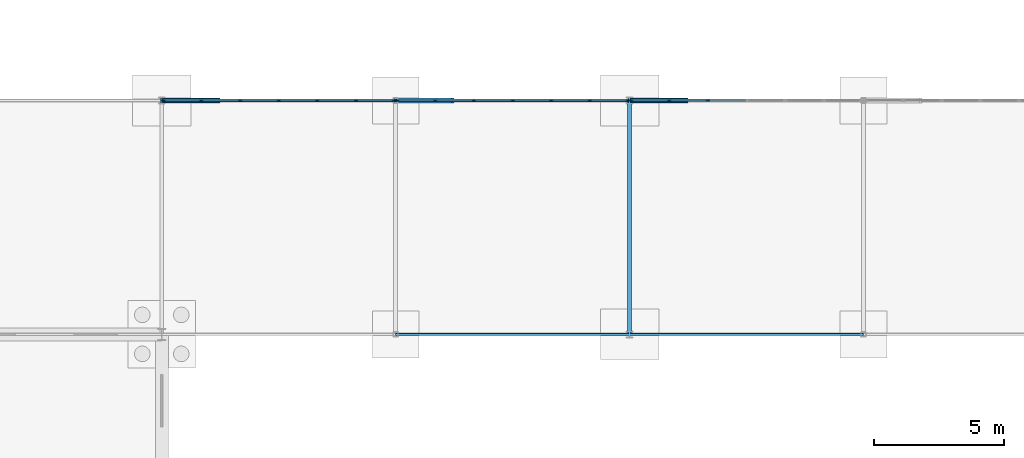
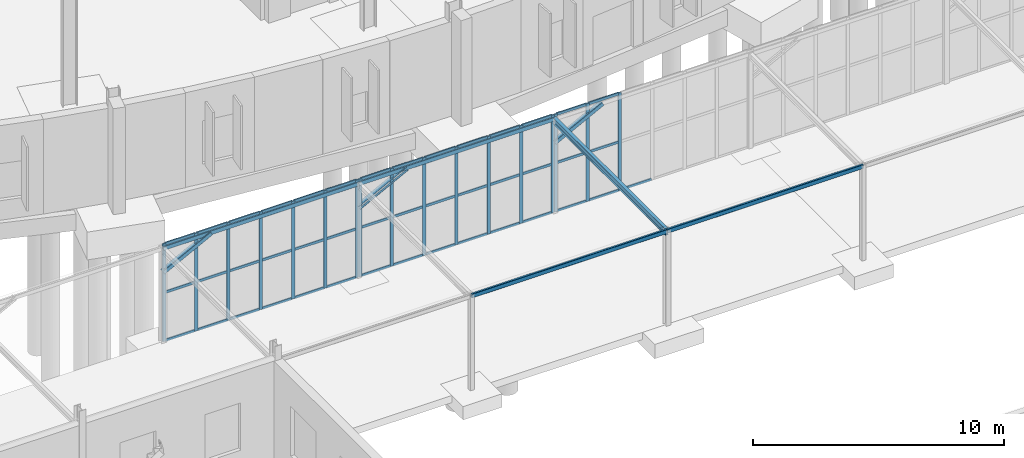
# One storey, part 53 of 118: 63 members, 5 beams, 3 elements without a shape of their own.
"""IFC4 building model written with IfcOpenShell, lengths in metres."""

from ifc_helpers import new_model, si_unit, direction, frame, origin, origin_2d, place, context, subcontext, project, spatial, rectangle, hollow_rectangle, i_section, extrude, material, material_profile, profile_set, type_object, element, aggregate, save


model = new_model("IFC4")

# Units and contexts
model_context = context("Model", 3, precision=1e-05, world=origin(), true_north=direction((0.0, 1.0)))
body_context = subcontext(model_context, "Body", "Model", "MODEL_VIEW")
ifc_project = project(units=[si_unit("LENGTHUNIT", "METRE"), si_unit("AREAUNIT", "SQUARE_METRE"), si_unit("VOLUMEUNIT", "CUBIC_METRE"), si_unit("PLANEANGLEUNIT", "RADIAN"), si_unit("MASSUNIT", "GRAM", prefix="KILO")], contexts=[model_context])

# Site, building, storey
site_placement = place(None, origin())
site = spatial("IfcSite", under=ifc_project, at=site_placement, CompositionType="ELEMENT")
building_placement = place(site_placement, origin())
building = spatial("IfcBuilding", under=site, at=building_placement, Name="Kildeholm Park Wholesale Market", CompositionType="ELEMENT")
storey_placement = place(building_placement, origin())
storey = spatial("IfcBuildingStorey", under=building, at=storey_placement, Name="L00", CompositionType="ELEMENT", Elevation=0.0)

# Beams
ifc_material_1 = material(Name="Steel S355", Category="steel")
ifc_material_profile_1 = material_profile(ifc_material_1, i_section(OverallWidth=0.14990234375, OverallDepth=0.300048828125, WebThickness=0.007080078125, FlangeThickness=0.0107421875, FilletRadius=0.014892578125, at=origin_2d()), Name="IPE 300")
ifc_profile_set_1 = profile_set([ifc_material_profile_1], Name="Steel S355")
beam_type_1 = type_object("IfcBeamType", Name="Beam B-C01 IPE 300", PredefinedType="BEAM", material=ifc_profile_set_1)
beam_placement = place(storey_placement, frame((99.0, 27.0, 4.486083984375), z_axis=(0.0, 1.0, 0.0), x_axis=(-1.0, 0.0, 0.0)))
element("IfcBeam", 1, at=beam_placement, inside=storey, type_object=beam_type_1, Name="Beam BM-V6-TR-099 BM-1806", PredefinedType="BEAM", context=body_context, shape_type="SweptSolid", body=[
    extrude(i_section(OverallWidth=0.14990234375, OverallDepth=0.300048828125, WebThickness=0.007080078125, FlangeThickness=0.0107421875, FilletRadius=0.014892578125, at=origin_2d()), origin(), (0.0, 0.0, 1.0), 9.0),
])
ifc_material_profile_2 = material_profile(ifc_material_1, hollow_rectangle(XDim=0.10009765625, YDim=0.199951171875, WallThickness=0.008056640625, InnerFilletRadius=0.008056640625, OuterFilletRadius=0.01611328125, at=origin_2d()), Name="RHS 200x100x8")
ifc_profile_set_2 = profile_set([ifc_material_profile_2], Name="Steel S355")
beam_type_2 = type_object("IfcBeamType", Name="Beam LN-01 RHS 200x100x8", PredefinedType="LINTEL", material=ifc_profile_set_2)
for number, where, z_axis, x_axis, name in (
    (2, (81.0, 36.0, 4.5400390625), (1.0, 0.0, 0.0), (0.0, 1.0, 0.0), "Beam BM-V6-N-081 BM-1802"),
    (3, (90.0, 27.0, 4.5400390625), (1.0, 0.0, 0.0), (0.0, 1.0, 0.0), "Beam BM-V6-S-090 BM-1804"),
    (4, (90.0, 36.0, 4.5400390625), (1.0, 0.0, 0.0), (0.0, 1.0, 0.0), "Beam BM-V6-N-090 BM-1805"),
    (5, (99.0, 27.0, 4.5400390625), (1.0, 0.0, 0.0), (0.0, 1.0, 0.0), "Beam BM-V6-S-099 BM-1807"),
):
    element("IfcBeam", number, at=place(storey_placement, frame(where, z_axis=z_axis, x_axis=x_axis)), inside=storey, type_object=beam_type_2, Name=name, PredefinedType="LINTEL", context=body_context, shape_type="SweptSolid", body=[
        extrude(hollow_rectangle(XDim=0.10009765625, YDim=0.199951171875, WallThickness=0.008056640625, InnerFilletRadius=0.008056640625, OuterFilletRadius=0.01611328125, at=origin_2d()), origin(), (0.0, 0.0, 1.0), 9.0),
    ])

# Curtain wall, members
ifc_material_2 = material(Name="Anodised aluminium and low-E double-glazed glass", Category="aluminium")
curtain_wall_type = type_object("IfcCurtainWallType", Name="Public passage glazed screen CW-04", PredefinedType="NOTDEFINED", material=ifc_material_2)
curtain_wall_1_placement = place(storey_placement, origin())
curtain_wall_1 = element("IfcCurtainWall", 6, at=curtain_wall_1_placement, inside=storey, type_object=curtain_wall_type, Name="Curtain wall CW-V6-GC-01 CW-0159", PredefinedType="NOTDEFINED")
ifc_material_3 = material(Name="Anodised aluminium", Category="aluminium")
ifc_material_profile_3 = material_profile(ifc_material_3, rectangle(XDim=0.06005859375, YDim=0.14990234375, at=origin_2d()), Name="CWM 60x150")
ifc_profile_set_3 = profile_set([ifc_material_profile_3], Name="Anodised aluminium")
member_type_1 = type_object("IfcMemberType", Name="Curtain-wall mullion CWM-3 CWM 60x150", PredefinedType="MULLION", material=ifc_profile_set_3)
member_1_placement = place(storey_placement, frame((81.070068359375, 36.0, 0.0), z_axis=(0.0, 0.0, 1.0), x_axis=(0.0, 1.0, 0.0)))
member_1 = element("IfcMember", 7, at=member_1_placement, type_object=member_type_1, Name="CW-04 mullion 1 MEM-4840", PredefinedType="MULLION", context=body_context, shape_type="SweptSolid", body=[
    extrude(rectangle(XDim=0.06005859375, YDim=0.14990234375, at=origin_2d()), origin(), (0.0, 0.0, 1.0), 4.75),
])
member_2_placement = place(storey_placement, frame((82.526611328125, 36.0, 0.0), z_axis=(0.0, 0.0, 1.0), x_axis=(0.0, 1.0, 0.0)))
member_2 = element("IfcMember", 8, at=member_2_placement, type_object=member_type_1, Name="CW-04 mullion 2 MEM-4841", PredefinedType="MULLION", context=body_context, shape_type="SweptSolid", body=[
    extrude(rectangle(XDim=0.06005859375, YDim=0.14990234375, at=origin_2d()), origin(), (0.0, 0.0, 1.0), 4.75),
])
member_3_placement = place(storey_placement, frame((84.013427734375, 36.0, 0.0), z_axis=(0.0, 0.0, 1.0), x_axis=(0.0, 1.0, 0.0)))
member_3 = element("IfcMember", 9, at=member_3_placement, type_object=member_type_1, Name="CW-04 mullion 3 MEM-4842", PredefinedType="MULLION", context=body_context, shape_type="SweptSolid", body=[
    extrude(rectangle(XDim=0.06005859375, YDim=0.14990234375, at=origin_2d()), origin(), (0.0, 0.0, 1.0), 4.75),
])
member_4_placement = place(storey_placement, frame((85.5, 36.0, 0.0), z_axis=(0.0, 0.0, 1.0), x_axis=(0.0, 1.0, 0.0)))
member_4 = element("IfcMember", 10, at=member_4_placement, type_object=member_type_1, Name="CW-04 mullion 4 MEM-4843", PredefinedType="MULLION", context=body_context, shape_type="SweptSolid", body=[
    extrude(rectangle(XDim=0.06005859375, YDim=0.14990234375, at=origin_2d()), origin(), (0.0, 0.0, 1.0), 4.75),
])
member_5_placement = place(storey_placement, frame((86.986572265625, 36.0, 0.0), z_axis=(0.0, 0.0, 1.0), x_axis=(0.0, 1.0, 0.0)))
member_5 = element("IfcMember", 11, at=member_5_placement, type_object=member_type_1, Name="CW-04 mullion 5 MEM-4844", PredefinedType="MULLION", context=body_context, shape_type="SweptSolid", body=[
    extrude(rectangle(XDim=0.06005859375, YDim=0.14990234375, at=origin_2d()), origin(), (0.0, 0.0, 1.0), 4.75),
])
member_6_placement = place(storey_placement, frame((88.473388671875, 36.0, 0.0), z_axis=(0.0, 0.0, 1.0), x_axis=(0.0, 1.0, 0.0)))
member_6 = element("IfcMember", 12, at=member_6_placement, type_object=member_type_1, Name="CW-04 mullion 6 MEM-4845", PredefinedType="MULLION", context=body_context, shape_type="SweptSolid", body=[
    extrude(rectangle(XDim=0.06005859375, YDim=0.14990234375, at=origin_2d()), origin(), (0.0, 0.0, 1.0), 4.75),
])
member_7_placement = place(storey_placement, frame((89.929931640625, 36.0, 0.0), z_axis=(0.0, 0.0, 1.0), x_axis=(0.0, 1.0, 0.0)))
member_7 = element("IfcMember", 13, at=member_7_placement, type_object=member_type_1, Name="CW-04 mullion 7 MEM-4846", PredefinedType="MULLION", context=body_context, shape_type="SweptSolid", body=[
    extrude(rectangle(XDim=0.06005859375, YDim=0.14990234375, at=origin_2d()), origin(), (0.0, 0.0, 1.0), 4.75),
])

curtain_wall_2_placement = place(storey_placement, origin())
curtain_wall_2 = element("IfcCurtainWall", 14, at=curtain_wall_2_placement, inside=storey, type_object=curtain_wall_type, Name="Curtain wall CW-V6-GC-02 CW-0160", PredefinedType="NOTDEFINED")
member_8_placement = place(storey_placement, frame((90.070068359375, 36.0, 0.0), z_axis=(0.0, 0.0, 1.0), x_axis=(0.0, 1.0, 0.0)))
member_8 = element("IfcMember", 15, at=member_8_placement, type_object=member_type_1, Name="CW-04 mullion 1 MEM-4865", PredefinedType="MULLION", context=body_context, shape_type="SweptSolid", body=[
    extrude(rectangle(XDim=0.06005859375, YDim=0.14990234375, at=origin_2d()), origin(), (0.0, 0.0, 1.0), 4.75),
])
member_9_placement = place(storey_placement, frame((91.526611328125, 36.0, 0.0), z_axis=(0.0, 0.0, 1.0), x_axis=(0.0, 1.0, 0.0)))
member_9 = element("IfcMember", 16, at=member_9_placement, type_object=member_type_1, Name="CW-04 mullion 2 MEM-4866", PredefinedType="MULLION", context=body_context, shape_type="SweptSolid", body=[
    extrude(rectangle(XDim=0.06005859375, YDim=0.14990234375, at=origin_2d()), origin(), (0.0, 0.0, 1.0), 4.75),
])
member_10_placement = place(storey_placement, frame((93.013427734375, 36.0, 0.0), z_axis=(0.0, 0.0, 1.0), x_axis=(0.0, 1.0, 0.0)))
member_10 = element("IfcMember", 17, at=member_10_placement, type_object=member_type_1, Name="CW-04 mullion 3 MEM-4867", PredefinedType="MULLION", context=body_context, shape_type="SweptSolid", body=[
    extrude(rectangle(XDim=0.06005859375, YDim=0.14990234375, at=origin_2d()), origin(), (0.0, 0.0, 1.0), 4.75),
])
member_11_placement = place(storey_placement, frame((94.5, 36.0, 0.0), z_axis=(0.0, 0.0, 1.0), x_axis=(0.0, 1.0, 0.0)))
member_11 = element("IfcMember", 18, at=member_11_placement, type_object=member_type_1, Name="CW-04 mullion 4 MEM-4868", PredefinedType="MULLION", context=body_context, shape_type="SweptSolid", body=[
    extrude(rectangle(XDim=0.06005859375, YDim=0.14990234375, at=origin_2d()), origin(), (0.0, 0.0, 1.0), 4.75),
])
member_12_placement = place(storey_placement, frame((95.986572265625, 36.0, 0.0), z_axis=(0.0, 0.0, 1.0), x_axis=(0.0, 1.0, 0.0)))
member_12 = element("IfcMember", 19, at=member_12_placement, type_object=member_type_1, Name="CW-04 mullion 5 MEM-4869", PredefinedType="MULLION", context=body_context, shape_type="SweptSolid", body=[
    extrude(rectangle(XDim=0.06005859375, YDim=0.14990234375, at=origin_2d()), origin(), (0.0, 0.0, 1.0), 4.75),
])
member_13_placement = place(storey_placement, frame((97.473388671875, 36.0, 0.0), z_axis=(0.0, 0.0, 1.0), x_axis=(0.0, 1.0, 0.0)))
member_13 = element("IfcMember", 20, at=member_13_placement, type_object=member_type_1, Name="CW-04 mullion 6 MEM-4870", PredefinedType="MULLION", context=body_context, shape_type="SweptSolid", body=[
    extrude(rectangle(XDim=0.06005859375, YDim=0.14990234375, at=origin_2d()), origin(), (0.0, 0.0, 1.0), 4.75),
])
member_14_placement = place(storey_placement, frame((98.929931640625, 36.0, 0.0), z_axis=(0.0, 0.0, 1.0), x_axis=(0.0, 1.0, 0.0)))
member_14 = element("IfcMember", 21, at=member_14_placement, type_object=member_type_1, Name="CW-04 mullion 7 MEM-4871", PredefinedType="MULLION", context=body_context, shape_type="SweptSolid", body=[
    extrude(rectangle(XDim=0.06005859375, YDim=0.14990234375, at=origin_2d()), origin(), (0.0, 0.0, 1.0), 4.75),
])

curtain_wall_3_placement = place(storey_placement, origin())
curtain_wall_3 = element("IfcCurtainWall", 22, at=curtain_wall_3_placement, inside=storey, type_object=curtain_wall_type, Name="Curtain wall CW-V6-GC-03 CW-0161", PredefinedType="NOTDEFINED")
member_15_placement = place(storey_placement, frame((99.070068359375, 36.0, 0.0), z_axis=(0.0, 0.0, 1.0), x_axis=(0.0, 1.0, 0.0)))
member_15 = element("IfcMember", 23, at=member_15_placement, type_object=member_type_1, Name="CW-04 mullion 1 MEM-4890", PredefinedType="MULLION", context=body_context, shape_type="SweptSolid", body=[
    extrude(rectangle(XDim=0.06005859375, YDim=0.14990234375, at=origin_2d()), origin(), (0.0, 0.0, 1.0), 4.75),
])
member_16_placement = place(storey_placement, frame((100.526611328125, 36.0, 0.0), z_axis=(0.0, 0.0, 1.0), x_axis=(0.0, 1.0, 0.0)))
member_16 = element("IfcMember", 24, at=member_16_placement, type_object=member_type_1, Name="CW-04 mullion 2 MEM-4891", PredefinedType="MULLION", context=body_context, shape_type="SweptSolid", body=[
    extrude(rectangle(XDim=0.06005859375, YDim=0.14990234375, at=origin_2d()), origin(), (0.0, 0.0, 1.0), 4.75),
])
member_17_placement = place(storey_placement, frame((102.013427734375, 36.0, 0.0), z_axis=(0.0, 0.0, 1.0), x_axis=(0.0, 1.0, 0.0)))
member_17 = element("IfcMember", 25, at=member_17_placement, type_object=member_type_1, Name="CW-04 mullion 3 MEM-4892", PredefinedType="MULLION", context=body_context, shape_type="SweptSolid", body=[
    extrude(rectangle(XDim=0.06005859375, YDim=0.14990234375, at=origin_2d()), origin(), (0.0, 0.0, 1.0), 4.75),
])

# Member
ifc_material_profile_4 = material_profile(ifc_material_3, rectangle(XDim=0.06005859375, YDim=0.1201171875, at=origin_2d()), Name="CWT 60x120")
ifc_profile_set_4 = profile_set([ifc_material_profile_4], Name="Anodised aluminium")
member_type_2 = type_object("IfcMemberType", Name="Curtain-wall transom CWT-3 CWT 60x120", PredefinedType="USERDEFINED", material=ifc_profile_set_4)
member_18_placement = place(storey_placement, frame((81.10009765625, 36.0, 0.030029296875), z_axis=(1.0, 0.0, 0.0), x_axis=(0.0, 1.0, 0.0)))
member_18 = element("IfcMember", 26, at=member_18_placement, type_object=member_type_2, Name="CW-04 transom 1.1 MEM-4847", ObjectType="TRANSOM", PredefinedType="USERDEFINED", context=body_context, shape_type="SweptSolid", body=[
    extrude(rectangle(XDim=0.06005859375, YDim=0.1201171875, at=origin_2d()), origin(), (0.0, 0.0, 1.0), 1.396484375),
])

member_19_placement = place(storey_placement, frame((81.10009765625, 36.0, 2.375), z_axis=(1.0, 0.0, 0.0), x_axis=(0.0, 1.0, 0.0)))
member_19 = element("IfcMember", 27, at=member_19_placement, type_object=member_type_2, Name="CW-04 transom 1.2 MEM-4848", ObjectType="TRANSOM", PredefinedType="USERDEFINED", context=body_context, shape_type="SweptSolid", body=[
    extrude(rectangle(XDim=0.06005859375, YDim=0.1201171875, at=origin_2d()), origin(), (0.0, 0.0, 1.0), 1.396484375),
])

member_20_placement = place(storey_placement, frame((81.10009765625, 36.0, 4.719970703125), z_axis=(1.0, 0.0, 0.0), x_axis=(0.0, 1.0, 0.0)))
member_20 = element("IfcMember", 28, at=member_20_placement, type_object=member_type_2, Name="CW-04 transom 1.3 MEM-4849", ObjectType="TRANSOM", PredefinedType="USERDEFINED", context=body_context, shape_type="SweptSolid", body=[
    extrude(rectangle(XDim=0.06005859375, YDim=0.1201171875, at=origin_2d()), origin(), (0.0, 0.0, 1.0), 1.396484375),
])

member_21_placement = place(storey_placement, frame((82.556640625, 36.0, 0.030029296875), z_axis=(1.0, 0.0, 0.0), x_axis=(0.0, 1.0, 0.0)))
member_21 = element("IfcMember", 29, at=member_21_placement, type_object=member_type_2, Name="CW-04 transom 2.1 MEM-4850", ObjectType="TRANSOM", PredefinedType="USERDEFINED", context=body_context, shape_type="SweptSolid", body=[
    extrude(rectangle(XDim=0.06005859375, YDim=0.1201171875, at=origin_2d()), origin(), (0.0, 0.0, 1.0), 1.4267578125),
])

member_22_placement = place(storey_placement, frame((82.556640625, 36.0, 2.375), z_axis=(1.0, 0.0, 0.0), x_axis=(0.0, 1.0, 0.0)))
member_22 = element("IfcMember", 30, at=member_22_placement, type_object=member_type_2, Name="CW-04 transom 2.2 MEM-4851", ObjectType="TRANSOM", PredefinedType="USERDEFINED", context=body_context, shape_type="SweptSolid", body=[
    extrude(rectangle(XDim=0.06005859375, YDim=0.1201171875, at=origin_2d()), origin(), (0.0, 0.0, 1.0), 1.4267578125),
])

member_23_placement = place(storey_placement, frame((82.556640625, 36.0, 4.719970703125), z_axis=(1.0, 0.0, 0.0), x_axis=(0.0, 1.0, 0.0)))
member_23 = element("IfcMember", 31, at=member_23_placement, type_object=member_type_2, Name="CW-04 transom 2.3 MEM-4852", ObjectType="TRANSOM", PredefinedType="USERDEFINED", context=body_context, shape_type="SweptSolid", body=[
    extrude(rectangle(XDim=0.06005859375, YDim=0.1201171875, at=origin_2d()), origin(), (0.0, 0.0, 1.0), 1.4267578125),
])

member_24_placement = place(storey_placement, frame((84.043212890625, 36.0, 0.030029296875), z_axis=(1.0, 0.0, 0.0), x_axis=(0.0, 1.0, 0.0)))
member_24 = element("IfcMember", 32, at=member_24_placement, type_object=member_type_2, Name="CW-04 transom 3.1 MEM-4853", ObjectType="TRANSOM", PredefinedType="USERDEFINED", context=body_context, shape_type="SweptSolid", body=[
    extrude(rectangle(XDim=0.06005859375, YDim=0.1201171875, at=origin_2d()), origin(), (0.0, 0.0, 1.0), 1.4267578125),
])

member_25_placement = place(storey_placement, frame((84.043212890625, 36.0, 2.375), z_axis=(1.0, 0.0, 0.0), x_axis=(0.0, 1.0, 0.0)))
member_25 = element("IfcMember", 33, at=member_25_placement, type_object=member_type_2, Name="CW-04 transom 3.2 MEM-4854", ObjectType="TRANSOM", PredefinedType="USERDEFINED", context=body_context, shape_type="SweptSolid", body=[
    extrude(rectangle(XDim=0.06005859375, YDim=0.1201171875, at=origin_2d()), origin(), (0.0, 0.0, 1.0), 1.4267578125),
])

member_26_placement = place(storey_placement, frame((84.043212890625, 36.0, 4.719970703125), z_axis=(1.0, 0.0, 0.0), x_axis=(0.0, 1.0, 0.0)))
member_26 = element("IfcMember", 34, at=member_26_placement, type_object=member_type_2, Name="CW-04 transom 3.3 MEM-4855", ObjectType="TRANSOM", PredefinedType="USERDEFINED", context=body_context, shape_type="SweptSolid", body=[
    extrude(rectangle(XDim=0.06005859375, YDim=0.1201171875, at=origin_2d()), origin(), (0.0, 0.0, 1.0), 1.4267578125),
])

member_27_placement = place(storey_placement, frame((85.530029296875, 36.0, 0.030029296875), z_axis=(1.0, 0.0, 0.0), x_axis=(0.0, 1.0, 0.0)))
member_27 = element("IfcMember", 35, at=member_27_placement, type_object=member_type_2, Name="CW-04 transom 4.1 MEM-4856", ObjectType="TRANSOM", PredefinedType="USERDEFINED", context=body_context, shape_type="SweptSolid", body=[
    extrude(rectangle(XDim=0.06005859375, YDim=0.1201171875, at=origin_2d()), origin(), (0.0, 0.0, 1.0), 1.4267578125),
])

member_28_placement = place(storey_placement, frame((85.530029296875, 36.0, 2.375), z_axis=(1.0, 0.0, 0.0), x_axis=(0.0, 1.0, 0.0)))
member_28 = element("IfcMember", 36, at=member_28_placement, type_object=member_type_2, Name="CW-04 transom 4.2 MEM-4857", ObjectType="TRANSOM", PredefinedType="USERDEFINED", context=body_context, shape_type="SweptSolid", body=[
    extrude(rectangle(XDim=0.06005859375, YDim=0.1201171875, at=origin_2d()), origin(), (0.0, 0.0, 1.0), 1.4267578125),
])

member_29_placement = place(storey_placement, frame((85.530029296875, 36.0, 4.719970703125), z_axis=(1.0, 0.0, 0.0), x_axis=(0.0, 1.0, 0.0)))
member_29 = element("IfcMember", 37, at=member_29_placement, type_object=member_type_2, Name="CW-04 transom 4.3 MEM-4858", ObjectType="TRANSOM", PredefinedType="USERDEFINED", context=body_context, shape_type="SweptSolid", body=[
    extrude(rectangle(XDim=0.06005859375, YDim=0.1201171875, at=origin_2d()), origin(), (0.0, 0.0, 1.0), 1.4267578125),
])

member_30_placement = place(storey_placement, frame((87.0166015625, 36.0, 0.030029296875), z_axis=(1.0, 0.0, 0.0), x_axis=(0.0, 1.0, 0.0)))
member_30 = element("IfcMember", 38, at=member_30_placement, type_object=member_type_2, Name="CW-04 transom 5.1 MEM-4859", ObjectType="TRANSOM", PredefinedType="USERDEFINED", context=body_context, shape_type="SweptSolid", body=[
    extrude(rectangle(XDim=0.06005859375, YDim=0.1201171875, at=origin_2d()), origin(), (0.0, 0.0, 1.0), 1.4267578125),
])

member_31_placement = place(storey_placement, frame((87.0166015625, 36.0, 2.375), z_axis=(1.0, 0.0, 0.0), x_axis=(0.0, 1.0, 0.0)))
member_31 = element("IfcMember", 39, at=member_31_placement, type_object=member_type_2, Name="CW-04 transom 5.2 MEM-4860", ObjectType="TRANSOM", PredefinedType="USERDEFINED", context=body_context, shape_type="SweptSolid", body=[
    extrude(rectangle(XDim=0.06005859375, YDim=0.1201171875, at=origin_2d()), origin(), (0.0, 0.0, 1.0), 1.4267578125),
])

member_32_placement = place(storey_placement, frame((87.0166015625, 36.0, 4.719970703125), z_axis=(1.0, 0.0, 0.0), x_axis=(0.0, 1.0, 0.0)))
member_32 = element("IfcMember", 40, at=member_32_placement, type_object=member_type_2, Name="CW-04 transom 5.3 MEM-4861", ObjectType="TRANSOM", PredefinedType="USERDEFINED", context=body_context, shape_type="SweptSolid", body=[
    extrude(rectangle(XDim=0.06005859375, YDim=0.1201171875, at=origin_2d()), origin(), (0.0, 0.0, 1.0), 1.4267578125),
])

member_33_placement = place(storey_placement, frame((88.50341796875, 36.0, 0.030029296875), z_axis=(1.0, 0.0, 0.0), x_axis=(0.0, 1.0, 0.0)))
member_33 = element("IfcMember", 41, at=member_33_placement, type_object=member_type_2, Name="CW-04 transom 6.1 MEM-4862", ObjectType="TRANSOM", PredefinedType="USERDEFINED", context=body_context, shape_type="SweptSolid", body=[
    extrude(rectangle(XDim=0.06005859375, YDim=0.1201171875, at=origin_2d()), origin(), (0.0, 0.0, 1.0), 1.396484375),
])

member_34_placement = place(storey_placement, frame((88.50341796875, 36.0, 2.375), z_axis=(1.0, 0.0, 0.0), x_axis=(0.0, 1.0, 0.0)))
member_34 = element("IfcMember", 42, at=member_34_placement, type_object=member_type_2, Name="CW-04 transom 6.2 MEM-4863", ObjectType="TRANSOM", PredefinedType="USERDEFINED", context=body_context, shape_type="SweptSolid", body=[
    extrude(rectangle(XDim=0.06005859375, YDim=0.1201171875, at=origin_2d()), origin(), (0.0, 0.0, 1.0), 1.396484375),
])

member_35_placement = place(storey_placement, frame((88.50341796875, 36.0, 4.719970703125), z_axis=(1.0, 0.0, 0.0), x_axis=(0.0, 1.0, 0.0)))
member_35 = element("IfcMember", 43, at=member_35_placement, type_object=member_type_2, Name="CW-04 transom 6.3 MEM-4864", ObjectType="TRANSOM", PredefinedType="USERDEFINED", context=body_context, shape_type="SweptSolid", body=[
    extrude(rectangle(XDim=0.06005859375, YDim=0.1201171875, at=origin_2d()), origin(), (0.0, 0.0, 1.0), 1.396484375),
])

aggregate(curtain_wall_1, [member_1, member_2, member_3, member_4, member_5, member_6, member_7, member_18, member_19, member_20, member_21, member_22, member_23, member_24, member_25, member_26, member_27, member_28, member_29, member_30, member_31, member_32, member_33, member_34, member_35])

member_36_placement = place(storey_placement, frame((90.10009765625, 36.0, 0.030029296875), z_axis=(1.0, 0.0, 0.0), x_axis=(0.0, 1.0, 0.0)))
member_36 = element("IfcMember", 44, at=member_36_placement, type_object=member_type_2, Name="CW-04 transom 1.1 MEM-4872", ObjectType="TRANSOM", PredefinedType="USERDEFINED", context=body_context, shape_type="SweptSolid", body=[
    extrude(rectangle(XDim=0.06005859375, YDim=0.1201171875, at=origin_2d()), origin(), (0.0, 0.0, 1.0), 1.396484375),
])

member_37_placement = place(storey_placement, frame((90.10009765625, 36.0, 2.375), z_axis=(1.0, 0.0, 0.0), x_axis=(0.0, 1.0, 0.0)))
member_37 = element("IfcMember", 45, at=member_37_placement, type_object=member_type_2, Name="CW-04 transom 1.2 MEM-4873", ObjectType="TRANSOM", PredefinedType="USERDEFINED", context=body_context, shape_type="SweptSolid", body=[
    extrude(rectangle(XDim=0.06005859375, YDim=0.1201171875, at=origin_2d()), origin(), (0.0, 0.0, 1.0), 1.396484375),
])

member_38_placement = place(storey_placement, frame((90.10009765625, 36.0, 4.719970703125), z_axis=(1.0, 0.0, 0.0), x_axis=(0.0, 1.0, 0.0)))
member_38 = element("IfcMember", 46, at=member_38_placement, type_object=member_type_2, Name="CW-04 transom 1.3 MEM-4874", ObjectType="TRANSOM", PredefinedType="USERDEFINED", context=body_context, shape_type="SweptSolid", body=[
    extrude(rectangle(XDim=0.06005859375, YDim=0.1201171875, at=origin_2d()), origin(), (0.0, 0.0, 1.0), 1.396484375),
])

member_39_placement = place(storey_placement, frame((91.556640625, 36.0, 0.030029296875), z_axis=(1.0, 0.0, 0.0), x_axis=(0.0, 1.0, 0.0)))
member_39 = element("IfcMember", 47, at=member_39_placement, type_object=member_type_2, Name="CW-04 transom 2.1 MEM-4875", ObjectType="TRANSOM", PredefinedType="USERDEFINED", context=body_context, shape_type="SweptSolid", body=[
    extrude(rectangle(XDim=0.06005859375, YDim=0.1201171875, at=origin_2d()), origin(), (0.0, 0.0, 1.0), 1.4267578125),
])

member_40_placement = place(storey_placement, frame((91.556640625, 36.0, 2.375), z_axis=(1.0, 0.0, 0.0), x_axis=(0.0, 1.0, 0.0)))
member_40 = element("IfcMember", 48, at=member_40_placement, type_object=member_type_2, Name="CW-04 transom 2.2 MEM-4876", ObjectType="TRANSOM", PredefinedType="USERDEFINED", context=body_context, shape_type="SweptSolid", body=[
    extrude(rectangle(XDim=0.06005859375, YDim=0.1201171875, at=origin_2d()), origin(), (0.0, 0.0, 1.0), 1.4267578125),
])

member_41_placement = place(storey_placement, frame((91.556640625, 36.0, 4.719970703125), z_axis=(1.0, 0.0, 0.0), x_axis=(0.0, 1.0, 0.0)))
member_41 = element("IfcMember", 49, at=member_41_placement, type_object=member_type_2, Name="CW-04 transom 2.3 MEM-4877", ObjectType="TRANSOM", PredefinedType="USERDEFINED", context=body_context, shape_type="SweptSolid", body=[
    extrude(rectangle(XDim=0.06005859375, YDim=0.1201171875, at=origin_2d()), origin(), (0.0, 0.0, 1.0), 1.4267578125),
])

member_42_placement = place(storey_placement, frame((93.043212890625, 36.0, 0.030029296875), z_axis=(1.0, 0.0, 0.0), x_axis=(0.0, 1.0, 0.0)))
member_42 = element("IfcMember", 50, at=member_42_placement, type_object=member_type_2, Name="CW-04 transom 3.1 MEM-4878", ObjectType="TRANSOM", PredefinedType="USERDEFINED", context=body_context, shape_type="SweptSolid", body=[
    extrude(rectangle(XDim=0.06005859375, YDim=0.1201171875, at=origin_2d()), origin(), (0.0, 0.0, 1.0), 1.4267578125),
])

member_43_placement = place(storey_placement, frame((93.043212890625, 36.0, 2.375), z_axis=(1.0, 0.0, 0.0), x_axis=(0.0, 1.0, 0.0)))
member_43 = element("IfcMember", 51, at=member_43_placement, type_object=member_type_2, Name="CW-04 transom 3.2 MEM-4879", ObjectType="TRANSOM", PredefinedType="USERDEFINED", context=body_context, shape_type="SweptSolid", body=[
    extrude(rectangle(XDim=0.06005859375, YDim=0.1201171875, at=origin_2d()), origin(), (0.0, 0.0, 1.0), 1.4267578125),
])

member_44_placement = place(storey_placement, frame((93.043212890625, 36.0, 4.719970703125), z_axis=(1.0, 0.0, 0.0), x_axis=(0.0, 1.0, 0.0)))
member_44 = element("IfcMember", 52, at=member_44_placement, type_object=member_type_2, Name="CW-04 transom 3.3 MEM-4880", ObjectType="TRANSOM", PredefinedType="USERDEFINED", context=body_context, shape_type="SweptSolid", body=[
    extrude(rectangle(XDim=0.06005859375, YDim=0.1201171875, at=origin_2d()), origin(), (0.0, 0.0, 1.0), 1.4267578125),
])

member_45_placement = place(storey_placement, frame((94.530029296875, 36.0, 0.030029296875), z_axis=(1.0, 0.0, 0.0), x_axis=(0.0, 1.0, 0.0)))
member_45 = element("IfcMember", 53, at=member_45_placement, type_object=member_type_2, Name="CW-04 transom 4.1 MEM-4881", ObjectType="TRANSOM", PredefinedType="USERDEFINED", context=body_context, shape_type="SweptSolid", body=[
    extrude(rectangle(XDim=0.06005859375, YDim=0.1201171875, at=origin_2d()), origin(), (0.0, 0.0, 1.0), 1.4267578125),
])

member_46_placement = place(storey_placement, frame((94.530029296875, 36.0, 2.375), z_axis=(1.0, 0.0, 0.0), x_axis=(0.0, 1.0, 0.0)))
member_46 = element("IfcMember", 54, at=member_46_placement, type_object=member_type_2, Name="CW-04 transom 4.2 MEM-4882", ObjectType="TRANSOM", PredefinedType="USERDEFINED", context=body_context, shape_type="SweptSolid", body=[
    extrude(rectangle(XDim=0.06005859375, YDim=0.1201171875, at=origin_2d()), origin(), (0.0, 0.0, 1.0), 1.4267578125),
])

member_47_placement = place(storey_placement, frame((94.530029296875, 36.0, 4.719970703125), z_axis=(1.0, 0.0, 0.0), x_axis=(0.0, 1.0, 0.0)))
member_47 = element("IfcMember", 55, at=member_47_placement, type_object=member_type_2, Name="CW-04 transom 4.3 MEM-4883", ObjectType="TRANSOM", PredefinedType="USERDEFINED", context=body_context, shape_type="SweptSolid", body=[
    extrude(rectangle(XDim=0.06005859375, YDim=0.1201171875, at=origin_2d()), origin(), (0.0, 0.0, 1.0), 1.4267578125),
])

member_48_placement = place(storey_placement, frame((96.0166015625, 36.0, 0.030029296875), z_axis=(1.0, 0.0, 0.0), x_axis=(0.0, 1.0, 0.0)))
member_48 = element("IfcMember", 56, at=member_48_placement, type_object=member_type_2, Name="CW-04 transom 5.1 MEM-4884", ObjectType="TRANSOM", PredefinedType="USERDEFINED", context=body_context, shape_type="SweptSolid", body=[
    extrude(rectangle(XDim=0.06005859375, YDim=0.1201171875, at=origin_2d()), origin(), (0.0, 0.0, 1.0), 1.4267578125),
])

member_49_placement = place(storey_placement, frame((96.0166015625, 36.0, 2.375), z_axis=(1.0, 0.0, 0.0), x_axis=(0.0, 1.0, 0.0)))
member_49 = element("IfcMember", 57, at=member_49_placement, type_object=member_type_2, Name="CW-04 transom 5.2 MEM-4885", ObjectType="TRANSOM", PredefinedType="USERDEFINED", context=body_context, shape_type="SweptSolid", body=[
    extrude(rectangle(XDim=0.06005859375, YDim=0.1201171875, at=origin_2d()), origin(), (0.0, 0.0, 1.0), 1.4267578125),
])

member_50_placement = place(storey_placement, frame((96.0166015625, 36.0, 4.719970703125), z_axis=(1.0, 0.0, 0.0), x_axis=(0.0, 1.0, 0.0)))
member_50 = element("IfcMember", 58, at=member_50_placement, type_object=member_type_2, Name="CW-04 transom 5.3 MEM-4886", ObjectType="TRANSOM", PredefinedType="USERDEFINED", context=body_context, shape_type="SweptSolid", body=[
    extrude(rectangle(XDim=0.06005859375, YDim=0.1201171875, at=origin_2d()), origin(), (0.0, 0.0, 1.0), 1.4267578125),
])

member_51_placement = place(storey_placement, frame((97.50341796875, 36.0, 0.030029296875), z_axis=(1.0, 0.0, 0.0), x_axis=(0.0, 1.0, 0.0)))
member_51 = element("IfcMember", 59, at=member_51_placement, type_object=member_type_2, Name="CW-04 transom 6.1 MEM-4887", ObjectType="TRANSOM", PredefinedType="USERDEFINED", context=body_context, shape_type="SweptSolid", body=[
    extrude(rectangle(XDim=0.06005859375, YDim=0.1201171875, at=origin_2d()), origin(), (0.0, 0.0, 1.0), 1.396484375),
])

member_52_placement = place(storey_placement, frame((97.50341796875, 36.0, 2.375), z_axis=(1.0, 0.0, 0.0), x_axis=(0.0, 1.0, 0.0)))
member_52 = element("IfcMember", 60, at=member_52_placement, type_object=member_type_2, Name="CW-04 transom 6.2 MEM-4888", ObjectType="TRANSOM", PredefinedType="USERDEFINED", context=body_context, shape_type="SweptSolid", body=[
    extrude(rectangle(XDim=0.06005859375, YDim=0.1201171875, at=origin_2d()), origin(), (0.0, 0.0, 1.0), 1.396484375),
])

member_53_placement = place(storey_placement, frame((97.50341796875, 36.0, 4.719970703125), z_axis=(1.0, 0.0, 0.0), x_axis=(0.0, 1.0, 0.0)))
member_53 = element("IfcMember", 61, at=member_53_placement, type_object=member_type_2, Name="CW-04 transom 6.3 MEM-4889", ObjectType="TRANSOM", PredefinedType="USERDEFINED", context=body_context, shape_type="SweptSolid", body=[
    extrude(rectangle(XDim=0.06005859375, YDim=0.1201171875, at=origin_2d()), origin(), (0.0, 0.0, 1.0), 1.396484375),
])

aggregate(curtain_wall_2, [member_8, member_9, member_10, member_11, member_12, member_13, member_14, member_36, member_37, member_38, member_39, member_40, member_41, member_42, member_43, member_44, member_45, member_46, member_47, member_48, member_49, member_50, member_51, member_52, member_53])

member_54_placement = place(storey_placement, frame((99.10009765625, 36.0, 0.030029296875), z_axis=(1.0, 0.0, 0.0), x_axis=(0.0, 1.0, 0.0)))
member_54 = element("IfcMember", 62, at=member_54_placement, type_object=member_type_2, Name="CW-04 transom 1.1 MEM-4897", ObjectType="TRANSOM", PredefinedType="USERDEFINED", context=body_context, shape_type="SweptSolid", body=[
    extrude(rectangle(XDim=0.06005859375, YDim=0.1201171875, at=origin_2d()), origin(), (0.0, 0.0, 1.0), 1.396484375),
])

member_55_placement = place(storey_placement, frame((99.10009765625, 36.0, 2.375), z_axis=(1.0, 0.0, 0.0), x_axis=(0.0, 1.0, 0.0)))
member_55 = element("IfcMember", 63, at=member_55_placement, type_object=member_type_2, Name="CW-04 transom 1.2 MEM-4898", ObjectType="TRANSOM", PredefinedType="USERDEFINED", context=body_context, shape_type="SweptSolid", body=[
    extrude(rectangle(XDim=0.06005859375, YDim=0.1201171875, at=origin_2d()), origin(), (0.0, 0.0, 1.0), 1.396484375),
])

member_56_placement = place(storey_placement, frame((99.10009765625, 36.0, 4.719970703125), z_axis=(1.0, 0.0, 0.0), x_axis=(0.0, 1.0, 0.0)))
member_56 = element("IfcMember", 64, at=member_56_placement, type_object=member_type_2, Name="CW-04 transom 1.3 MEM-4899", ObjectType="TRANSOM", PredefinedType="USERDEFINED", context=body_context, shape_type="SweptSolid", body=[
    extrude(rectangle(XDim=0.06005859375, YDim=0.1201171875, at=origin_2d()), origin(), (0.0, 0.0, 1.0), 1.396484375),
])

member_57_placement = place(storey_placement, frame((100.556640625, 36.0, 0.030029296875), z_axis=(1.0, 0.0, 0.0), x_axis=(0.0, 1.0, 0.0)))
member_57 = element("IfcMember", 65, at=member_57_placement, type_object=member_type_2, Name="CW-04 transom 2.1 MEM-4900", ObjectType="TRANSOM", PredefinedType="USERDEFINED", context=body_context, shape_type="SweptSolid", body=[
    extrude(rectangle(XDim=0.06005859375, YDim=0.1201171875, at=origin_2d()), origin(), (0.0, 0.0, 1.0), 1.4267578125),
])

member_58_placement = place(storey_placement, frame((100.556640625, 36.0, 2.375), z_axis=(1.0, 0.0, 0.0), x_axis=(0.0, 1.0, 0.0)))
member_58 = element("IfcMember", 66, at=member_58_placement, type_object=member_type_2, Name="CW-04 transom 2.2 MEM-4901", ObjectType="TRANSOM", PredefinedType="USERDEFINED", context=body_context, shape_type="SweptSolid", body=[
    extrude(rectangle(XDim=0.06005859375, YDim=0.1201171875, at=origin_2d()), origin(), (0.0, 0.0, 1.0), 1.4267578125),
])

member_59_placement = place(storey_placement, frame((100.556640625, 36.0, 4.719970703125), z_axis=(1.0, 0.0, 0.0), x_axis=(0.0, 1.0, 0.0)))
member_59 = element("IfcMember", 67, at=member_59_placement, type_object=member_type_2, Name="CW-04 transom 2.3 MEM-4902", ObjectType="TRANSOM", PredefinedType="USERDEFINED", context=body_context, shape_type="SweptSolid", body=[
    extrude(rectangle(XDim=0.06005859375, YDim=0.1201171875, at=origin_2d()), origin(), (0.0, 0.0, 1.0), 1.4267578125),
])

member_60_placement = place(storey_placement, frame((102.043212890625, 36.0, 0.030029296875), z_axis=(1.0, 0.0, 0.0), x_axis=(0.0, 1.0, 0.0)))
member_60 = element("IfcMember", 68, at=member_60_placement, type_object=member_type_2, Name="CW-04 transom 3.1 MEM-4903", ObjectType="TRANSOM", PredefinedType="USERDEFINED", context=body_context, shape_type="SweptSolid", body=[
    extrude(rectangle(XDim=0.06005859375, YDim=0.1201171875, at=origin_2d()), origin(), (0.0, 0.0, 1.0), 1.4267578125),
])

aggregate(curtain_wall_3, [member_15, member_16, member_17, member_54, member_55, member_56, member_57, member_58, member_59, member_60])

# Members
ifc_material_profile_5 = material_profile(ifc_material_1, i_section(OverallWidth=0.199951171875, OverallDepth=0.199951171875, WebThickness=0.009033203125, FlangeThickness=0.014892578125, FilletRadius=0.01806640625, at=origin_2d()), Name="HEB 200")
ifc_profile_set_5 = profile_set([ifc_material_profile_5], Name="Steel S355")
member_type_3 = type_object("IfcMemberType", Name="Member PT-01 HEB 200", PredefinedType="POST", material=ifc_profile_set_5)
member_61_placement = place(storey_placement, frame((90.0, 36.0, 3.39990234375), z_axis=(0.887849952902, 0.0, 0.460133090673), x_axis=(0.0, 1.0, 0.0)))
element("IfcMember", 69, at=member_61_placement, inside=storey, type_object=member_type_3, Name="Member PT-V6-090 MEM-0383", PredefinedType="POST", context=body_context, shape_type="SweptSolid", body=[
    extrude(i_section(OverallWidth=0.199951171875, OverallDepth=0.199951171875, WebThickness=0.009033203125, FlangeThickness=0.014892578125, FilletRadius=0.01806640625, at=origin_2d()), origin(), (0.0, 0.0, 1.0), 2.477783203125),
])
ifc_material_profile_6 = material_profile(ifc_material_1, hollow_rectangle(XDim=0.199951171875, YDim=0.199951171875, WallThickness=0.012451171875, InnerFilletRadius=0.012451171875, OuterFilletRadius=0.02490234375, at=origin_2d()), Name="SHS 200x200x12.5")
ifc_profile_set_6 = profile_set([ifc_material_profile_6], Name="Steel S355")
member_type_4 = type_object("IfcMemberType", Name="Member PT-02 SHS 200x200x12.5", PredefinedType="POST", material=ifc_profile_set_6)
for number, where, z_axis, x_axis, name in (
    (70, (81.0, 36.0, 3.39990234375), (0.887849952902, 0.0, 0.460133090673), (0.0, 1.0, 0.0), "Member PT-V6-081 MEM-0382"),
    (71, (99.0, 36.0, 3.39990234375), (0.887849952902, 0.0, 0.460133090673), (0.0, 1.0, 0.0), "Member PT-V6-099 MEM-0384"),
):
    element("IfcMember", number, at=place(storey_placement, frame(where, z_axis=z_axis, x_axis=x_axis)), inside=storey, type_object=member_type_4, Name=name, PredefinedType="POST", context=body_context, shape_type="SweptSolid", body=[
        extrude(hollow_rectangle(XDim=0.199951171875, YDim=0.199951171875, WallThickness=0.012451171875, InnerFilletRadius=0.012451171875, OuterFilletRadius=0.02490234375, at=origin_2d()), origin(), (0.0, 0.0, 1.0), 2.477783203125),
    ])

save(model, "model.ifc")
